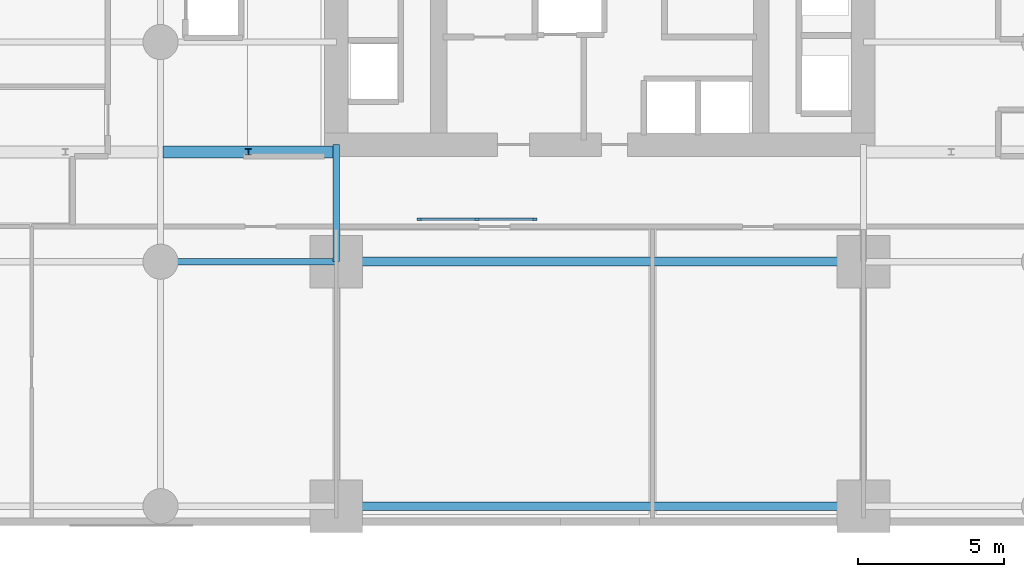
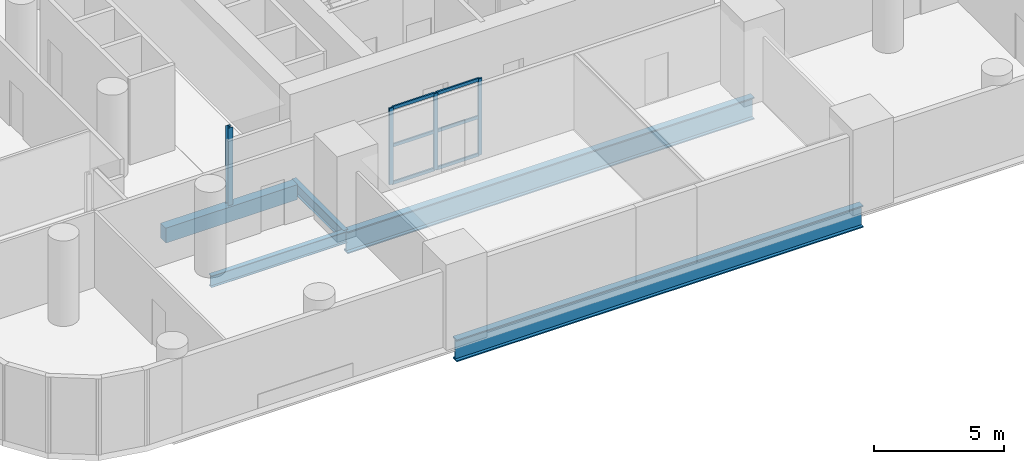
# One storey, part 3 of 15: 10 members, 5 beams, 1 element without a shape of its own.
"""IFC4 building model written with IfcOpenShell, lengths in metres."""

import ifcopenshell
import ifcopenshell.guid

model = None  # the IFC model being written
_history = None  # IfcOwnerHistory: only IFC2X3 demands one
_inside = {}  # id of a spatial element -> (the spatial element, [elements in it])
_under = {}  # id of a project, library or spatial element -> (it, [spatial elements below it])
_declared = {}  # id of a project -> (the project, [libraries it declares])
_typed = {}  # id of a type object -> (the type object, [elements of that type])
_made_of = {}  # id of a material, layer set ... -> (it, [elements and type objects made of it])


def new_model(schema):
    """Start an empty IFC model of exactly this schema.

    Asked for "IFC4X3", IfcOpenShell would pick the latest addendum, in which some entities
    have other attributes; the version numbers below select the first issue.
    IFC2X3 requires an IfcOwnerHistory on every rooted entity: one is made here for all.
    """
    global model, _history
    if schema == "IFC4X3":
        model = ifcopenshell.file(schema_version=(4, 3, 0, 0))
    else:
        model = ifcopenshell.file(schema=schema)
    _inside.clear()
    _under.clear()
    _declared.clear()
    _typed.clear()
    _made_of.clear()
    _history = None
    if model.schema == "IFC2X3":
        org = make("IfcOrganization", Name="unknown")
        user = make(
            "IfcPersonAndOrganization",
            ThePerson=make("IfcPerson", FamilyName="unknown"),
            TheOrganization=org,
        )
        app = make(
            "IfcApplication",
            ApplicationDeveloper=org,
            Version="unknown",
            ApplicationFullName="unknown",
            ApplicationIdentifier="unknown",
        )
        _history = make(
            "IfcOwnerHistory",
            OwningUser=user,
            OwningApplication=app,
            ChangeAction="ADDED",
            CreationDate=0,
        )
    return model


def make(cls, **values):
    """One entity of the class cls with the attributes given. An attribute that is None is left unset."""
    return model.create_entity(
        cls, **{name: value for name, value in values.items() if value is not None}
    )


def rooted(cls, **values):
    """An entity with a GlobalId (a new one), such as an element, a storey or a relation."""
    return make(cls, GlobalId=ifcopenshell.guid.new(), OwnerHistory=_history, **values)


def si_unit(unit_type, name, prefix=None):
    """IfcSIUnit, for example si_unit("LENGTHUNIT", "METRE", prefix="MILLI")."""
    return make("IfcSIUnit", UnitType=unit_type, Prefix=prefix, Name=name)


def assignment(units):
    """IfcUnitAssignment: the units of a project."""
    return None if units is None else make("IfcUnitAssignment", Units=units)


def point(xyz):
    """IfcCartesianPoint."""
    return None if xyz is None else make("IfcCartesianPoint", Coordinates=xyz)


def direction(xyz):
    """IfcDirection."""
    return None if xyz is None else make("IfcDirection", DirectionRatios=xyz)


def frame(location, z_axis=None, x_axis=None):
    """IfcAxis2Placement3D, a coordinate frame: its origin and axes. An axis left out is left unset."""
    return make(
        "IfcAxis2Placement3D",
        Location=point(location),
        Axis=direction(z_axis),
        RefDirection=direction(x_axis),
    )


def frame_2d(location, x_axis=None):
    """IfcAxis2Placement2D, a coordinate frame in the plane: its origin and x axis."""
    return make(
        "IfcAxis2Placement2D", Location=point(location), RefDirection=direction(x_axis)
    )


def origin():
    """The frame at (0, 0, 0) with its axes left unset."""
    return frame((0.0, 0.0, 0.0))


def origin_2d():
    """The frame at (0, 0) in the plane with its x axis left unset."""
    return frame_2d((0.0, 0.0))


def place(relative_to, where):
    """IfcLocalPlacement: puts the frame where relative to a parent placement (None: the world)."""
    return make(
        "IfcLocalPlacement", PlacementRelTo=relative_to, RelativePlacement=where
    )


def context(
    kind, dimensions, precision=None, world=None, true_north=None, identifier=None
):
    """IfcGeometricRepresentationContext, for example the 3D "Model" context."""
    return make(
        "IfcGeometricRepresentationContext",
        ContextIdentifier=identifier,
        ContextType=kind,
        CoordinateSpaceDimension=dimensions,
        Precision=precision,
        WorldCoordinateSystem=world,
        TrueNorth=true_north,
    )


def subcontext(parent, identifier, kind, view, scale=None):
    """IfcGeometricRepresentationSubContext, for example "Body" below "Model"."""
    return make(
        "IfcGeometricRepresentationSubContext",
        ContextIdentifier=identifier,
        ContextType=kind,
        ParentContext=parent,
        TargetScale=scale,
        TargetView=view,
    )


def project(units=None, contexts=None):
    """IfcProject with its units and contexts."""
    return rooted(
        "IfcProject",
        Name="project",
        RepresentationContexts=contexts,
        UnitsInContext=assignment(units),
    )


def spatial(cls, under=None, at=None, **own):
    """A site, building, storey or space (cls), placed at a placement, below another one or the project."""
    s = rooted(cls, ObjectPlacement=at, **own)
    if under is not None:
        _under.setdefault(under.id(), (under, []))[1].append(s)
    return s


def profile(cls, at=None, kind="AREA", **sizes):
    """A parametric profile (cls). Its sizes go by their IFC names, for example OverallWidth=200.0."""
    return make(cls, ProfileType=kind, Position=at, **sizes)


def rectangle(**sizes):
    """IfcRectangleProfileDef."""
    return profile("IfcRectangleProfileDef", **sizes)


def i_section(**sizes):
    """IfcIShapeProfileDef."""
    return profile("IfcIShapeProfileDef", **sizes)


def extrude(swept, where, along, depth):
    """IfcExtrudedAreaSolid: the profile swept, set in the frame where, extruded along a direction by depth."""
    return make(
        "IfcExtrudedAreaSolid",
        SweptArea=swept,
        Position=where,
        ExtrudedDirection=direction(along),
        Depth=depth,
    )


def shape(context_of_items, identifier, shape_type, items):
    """IfcShapeRepresentation: the items that make up one representation, for example the "Body"."""
    return make(
        "IfcShapeRepresentation",
        ContextOfItems=context_of_items,
        RepresentationIdentifier=identifier,
        RepresentationType=shape_type,
        Items=items,
    )


def material(Name=None, Category=None):
    """IfcMaterial."""
    return make("IfcMaterial", Name=Name, Category=Category)


def material_profile(
    of_material, cross_section, Name=None, Category=None, Priority=None
):
    """IfcMaterialProfile: a cross section and its material."""
    return make(
        "IfcMaterialProfile",
        Name=Name,
        Material=of_material,
        Profile=cross_section,
        Priority=Priority,
        Category=Category,
    )


def profile_set(profiles, Name=None, composite=None):
    """IfcMaterialProfileSet."""
    return make(
        "IfcMaterialProfileSet",
        Name=Name,
        MaterialProfiles=profiles,
        CompositeProfile=composite,
    )


def made_of(thing, what):
    """Note that an element or type object is made of a material, layer set ...; save() writes the relation."""
    if what is not None:
        _made_of.setdefault(what.id(), (what, []))[1].append(thing)
    return thing


def type_object(cls, material=None, **own):
    """A type object (cls), such as IfcWallType, which elements share."""
    return made_of(rooted(cls, **own), material)


def element(
    cls,
    number,
    at=None,
    inside=None,
    cuts=None,
    type_object=None,
    material=None,
    context=None,
    identifier="Body",
    shape_type=None,
    held_by="IfcProductDefinitionShape",
    body=None,
    shapes=None,
    **own,
):
    """One element of the class cls, such as IfcWall. Its Tag is "e" and its number.

    at: its placement. inside: the storey or other place that contains it. cuts: it is an
    opening in that element (IfcRelVoidsElement). A single representation is given by context,
    identifier, shape_type and body (its items); several are given by shapes. held_by: the class
    of the entity that holds the representations. save() writes the other relations.
    """
    e = rooted(cls, Tag="e%d" % number, ObjectPlacement=at, **own)
    if body is not None:
        shapes = [shape(context, identifier, shape_type, body)]
    if shapes is not None:
        e.Representation = make(held_by, Representations=shapes)
    if inside is not None:
        _inside.setdefault(inside.id(), (inside, []))[1].append(e)
    if cuts is not None:
        rooted(
            "IfcRelVoidsElement", RelatingBuildingElement=cuts, RelatedOpeningElement=e
        )
    if type_object is not None:
        _typed.setdefault(type_object.id(), (type_object, []))[1].append(e)
    return made_of(e, material)


def aggregate(whole, parts):
    """IfcRelAggregates: a whole, such as a stair, and the parts it consists of."""
    return rooted("IfcRelAggregates", RelatingObject=whole, RelatedObjects=parts)


def save(model, path):
    """Write the relations noted so far, then the file.

    IfcRelAggregates (storeys below a building ...), IfcRelContainedInSpatialStructure (elements
    in a storey), IfcRelDefinesByType, IfcRelAssociatesMaterial and IfcRelDeclares: one each for
    every whole, place, type object, material and project.
    """
    for whole, parts in _under.values():
        aggregate(whole, parts)
    for where, things in _inside.values():
        rooted(
            "IfcRelContainedInSpatialStructure",
            RelatedElements=things,
            RelatingStructure=where,
        )
    for kind, things in _typed.values():
        rooted("IfcRelDefinesByType", RelatedObjects=things, RelatingType=kind)
    for what, things in _made_of.values():
        rooted("IfcRelAssociatesMaterial", RelatedObjects=things, RelatingMaterial=what)
    for by, libraries in _declared.values():
        rooted("IfcRelDeclares", RelatingContext=by, RelatedDefinitions=libraries)
    model.write(path)


model = new_model("IFC4")

# Units and contexts
model_context = context("Model", 3, precision=1e-05, world=origin(), true_north=direction((0.0, 1.0)))
body_context = subcontext(model_context, "Body", "Model", "MODEL_VIEW")
ifc_project = project(units=[si_unit("LENGTHUNIT", "METRE"), si_unit("AREAUNIT", "SQUARE_METRE"), si_unit("VOLUMEUNIT", "CUBIC_METRE"), si_unit("PLANEANGLEUNIT", "RADIAN"), si_unit("MASSUNIT", "GRAM", prefix="KILO")], contexts=[model_context])

# Site, building, storey
site_placement = place(None, origin())
site = spatial("IfcSite", under=ifc_project, at=site_placement, CompositionType="ELEMENT")
building_placement = place(site_placement, origin())
building = spatial("IfcBuilding", under=site, at=building_placement, Name="Veldorim Arch Residences", CompositionType="ELEMENT")
storey_placement = place(building_placement, frame((0.0, 0.0, 16.0)))
storey = spatial("IfcBuildingStorey", under=building, at=storey_placement, Name="L04", CompositionType="ELEMENT", Elevation=16.0)

# Curtain wall, members
ifc_material_1 = material(Name="Aluminium", Category="aluminium")
curtain_wall_type = type_object("IfcCurtainWallType", Name="Crown Faceted Fritted Laminated Curtain Wall", PredefinedType="NOTDEFINED", material=ifc_material_1)
curtain_wall_placement = place(storey_placement, origin())
curtain_wall = element("IfcCurtainWall", 1, at=curtain_wall_placement, inside=storey, type_object=curtain_wall_type, Name="L04 S arch bridge clerestory curtain wall", PredefinedType="NOTDEFINED")
ifc_material_2 = material(Name="Aluminium", Category="aluminium")
ifc_material_profile_1 = material_profile(ifc_material_2, rectangle(XDim=0.070068359375, YDim=0.169921875, at=origin_2d()), Name="ALU_MUL_70x170")
ifc_profile_set_1 = profile_set([ifc_material_profile_1], Name="Aluminium")
member_type_1 = type_object("IfcMemberType", Name="Crown Faceted Fritted Laminated Curtain Wall Mullion 70x170", PredefinedType="MULLION", material=ifc_profile_set_1)
member_1_placement = place(storey_placement, frame((25.8349609375, 14.449951171875, 0.0), z_axis=(0.0, 0.0, 1.0), x_axis=(0.0, 1.0, 0.0)))
member_1 = element("IfcMember", 2, at=member_1_placement, type_object=member_type_1, Name="CW-CRN mullion 1", PredefinedType="MULLION", context=body_context, shape_type="SweptSolid", body=[
    extrude(rectangle(XDim=0.070068359375, YDim=0.169921875, at=origin_2d()), origin(), (0.0, 0.0, 1.0), 3.580078125),
])
member_2_placement = place(storey_placement, frame((27.800048828125, 14.449951171875, 0.0), z_axis=(0.0, 0.0, 1.0), x_axis=(0.0, 1.0, 0.0)))
member_2 = element("IfcMember", 3, at=member_2_placement, type_object=member_type_1, Name="CW-CRN mullion 2", PredefinedType="MULLION", context=body_context, shape_type="SweptSolid", body=[
    extrude(rectangle(XDim=0.070068359375, YDim=0.169921875, at=origin_2d()), origin(), (0.0, 0.0, 1.0), 3.580078125),
])
member_3_placement = place(storey_placement, frame((29.764892578125, 14.449951171875, 0.0), z_axis=(0.0, 0.0, 1.0), x_axis=(0.0, 1.0, 0.0)))
member_3 = element("IfcMember", 4, at=member_3_placement, type_object=member_type_1, Name="CW-CRN mullion 3", PredefinedType="MULLION", context=body_context, shape_type="SweptSolid", body=[
    extrude(rectangle(XDim=0.070068359375, YDim=0.169921875, at=origin_2d()), origin(), (0.0, 0.0, 1.0), 3.580078125),
])
ifc_material_3 = material(Name="Aluminium", Category="aluminium")
ifc_material_profile_2 = material_profile(ifc_material_3, rectangle(XDim=0.070068359375, YDim=0.14990234375, at=origin_2d()), Name="ALU_TRN_70x150")
ifc_profile_set_2 = profile_set([ifc_material_profile_2], Name="Aluminium")
member_type_2 = type_object("IfcMemberType", Name="Crown Faceted Fritted Laminated Curtain Wall Transom 70x150", PredefinedType="USERDEFINED", material=ifc_profile_set_2)
member_4_placement = place(storey_placement, frame((25.8701171875, 14.449951171875, 0.034912109375), z_axis=(1.0, 0.0, 0.0), x_axis=(0.0, 1.0, 0.0)))
member_4 = element("IfcMember", 5, at=member_4_placement, type_object=member_type_2, Name="CW-CRN transom 1.1", ObjectType="TRANSOM", PredefinedType="USERDEFINED", context=body_context, shape_type="SweptSolid", body=[
    extrude(rectangle(XDim=0.070068359375, YDim=0.14990234375, at=origin_2d()), origin(), (0.0, 0.0, 1.0), 1.894775390625),
])
member_5_placement = place(storey_placement, frame((25.8701171875, 14.449951171875, 1.7900390625), z_axis=(1.0, 0.0, 0.0), x_axis=(0.0, 1.0, 0.0)))
member_5 = element("IfcMember", 6, at=member_5_placement, type_object=member_type_2, Name="CW-CRN transom 1.2", ObjectType="TRANSOM", PredefinedType="USERDEFINED", context=body_context, shape_type="SweptSolid", body=[
    extrude(rectangle(XDim=0.070068359375, YDim=0.14990234375, at=origin_2d()), origin(), (0.0, 0.0, 1.0), 1.894775390625),
])
member_6_placement = place(storey_placement, frame((25.8701171875, 14.449951171875, 3.544921875), z_axis=(1.0, 0.0, 0.0), x_axis=(0.0, 1.0, 0.0)))
member_6 = element("IfcMember", 7, at=member_6_placement, type_object=member_type_2, Name="CW-CRN transom 1.3", ObjectType="TRANSOM", PredefinedType="USERDEFINED", context=body_context, shape_type="SweptSolid", body=[
    extrude(rectangle(XDim=0.070068359375, YDim=0.14990234375, at=origin_2d()), origin(), (0.0, 0.0, 1.0), 1.894775390625),
])
member_7_placement = place(storey_placement, frame((27.8349609375, 14.449951171875, 0.034912109375), z_axis=(1.0, 0.0, 0.0), x_axis=(0.0, 1.0, 0.0)))
member_7 = element("IfcMember", 8, at=member_7_placement, type_object=member_type_2, Name="CW-CRN transom 2.1", ObjectType="TRANSOM", PredefinedType="USERDEFINED", context=body_context, shape_type="SweptSolid", body=[
    extrude(rectangle(XDim=0.070068359375, YDim=0.14990234375, at=origin_2d()), origin(), (0.0, 0.0, 1.0), 1.89501953125),
])
member_8_placement = place(storey_placement, frame((27.8349609375, 14.449951171875, 1.7900390625), z_axis=(1.0, 0.0, 0.0), x_axis=(0.0, 1.0, 0.0)))
member_8 = element("IfcMember", 9, at=member_8_placement, type_object=member_type_2, Name="CW-CRN transom 2.2", ObjectType="TRANSOM", PredefinedType="USERDEFINED", context=body_context, shape_type="SweptSolid", body=[
    extrude(rectangle(XDim=0.070068359375, YDim=0.14990234375, at=origin_2d()), origin(), (0.0, 0.0, 1.0), 1.89501953125),
])
member_9_placement = place(storey_placement, frame((27.8349609375, 14.449951171875, 3.544921875), z_axis=(1.0, 0.0, 0.0), x_axis=(0.0, 1.0, 0.0)))
member_9 = element("IfcMember", 10, at=member_9_placement, type_object=member_type_2, Name="CW-CRN transom 2.3", ObjectType="TRANSOM", PredefinedType="USERDEFINED", context=body_context, shape_type="SweptSolid", body=[
    extrude(rectangle(XDim=0.070068359375, YDim=0.14990234375, at=origin_2d()), origin(), (0.0, 0.0, 1.0), 1.89501953125),
])
aggregate(curtain_wall, [member_1, member_2, member_3, member_4, member_5, member_6, member_7, member_8, member_9])

# Beams
ifc_material_4 = material(Name="Concrete C50/60", Category="concrete")
ifc_material_profile_3 = material_profile(ifc_material_4, rectangle(XDim=0.39990234375, YDim=0.699951171875, at=origin_2d()), Name="RC_RECT_400x700")
ifc_profile_set_3 = profile_set([ifc_material_profile_3], Name="Concrete C50/60")
beam_type_1 = type_object("IfcBeamType", Name="Reinforced Concrete Lintel RC_RECT_400x700", PredefinedType="LINTEL", material=ifc_profile_set_3)
beam_1_placement = place(storey_placement, frame((17.080078125, 16.75, -0.6298828125), z_axis=(1.0, 0.0, 0.0), x_axis=(0.0, 1.0, 0.0)))
element("IfcBeam", 11, at=beam_1_placement, inside=storey, type_object=beam_type_1, Name="L04 clinic opening structural lintel 03", PredefinedType="LINTEL", context=body_context, shape_type="SweptSolid", body=[
    extrude(rectangle(XDim=0.39990234375, YDim=0.699951171875, at=origin_2d()), origin(), (0.0, 0.0, 1.0), 5.83984375),
])
ifc_material_5 = material(Name="Steel S355", Category="steel")
ifc_material_profile_4 = material_profile(ifc_material_5, i_section(OverallWidth=0.2099609375, OverallDepth=0.53662109375, WebThickness=0.0107421875, FlangeThickness=0.017333984375, at=origin_2d()), Name="UB533x210x101")
ifc_profile_set_4 = profile_set([ifc_material_profile_4], Name="Steel S355")
beam_type_2 = type_object("IfcBeamType", Name="Structural Steel Beam UB533x210x101", PredefinedType="BEAM", material=ifc_profile_set_4)
beam_2_placement = place(storey_placement, frame((23.0, 13.0, -0.54833984375), z_axis=(0.0, 1.0, 0.0), x_axis=(-1.0, 0.0, 0.0)))
element("IfcBeam", 12, at=beam_2_placement, inside=storey, type_object=beam_type_2, Name="L04 north-south floor beam (X=23.0, 13.0-17.0)", PredefinedType="BEAM", context=body_context, shape_type="SweptSolid", body=[
    extrude(i_section(OverallWidth=0.2099609375, OverallDepth=0.53662109375, WebThickness=0.0107421875, FlangeThickness=0.017333984375, at=origin_2d()), origin(), (0.0, 0.0, 1.0), 4.0),
])
ifc_material_6 = material(Name="Steel S355", Category="steel")
ifc_material_profile_5 = material_profile(ifc_material_6, i_section(OverallWidth=0.2119140625, OverallDepth=0.54443359375, WebThickness=0.0126953125, FlangeThickness=0.021240234375, at=origin_2d()), Name="UB533x210x122")
ifc_profile_set_5 = profile_set([ifc_material_profile_5], Name="Steel S355")
beam_type_3 = type_object("IfcBeamType", Name="Structural Steel Beam UB533x210x122", PredefinedType="BEAM", material=ifc_profile_set_5)
beam_3_placement = place(storey_placement, frame((17.0, 13.0, -0.55224609375), z_axis=(1.0, 0.0, 0.0), x_axis=(0.0, 1.0, 0.0)))
element("IfcBeam", 13, at=beam_3_placement, inside=storey, type_object=beam_type_3, Name="L04 east-west floor beam (17.0-23.0, Y=13.0)", PredefinedType="BEAM", context=body_context, shape_type="SweptSolid", body=[
    extrude(i_section(OverallWidth=0.2119140625, OverallDepth=0.54443359375, WebThickness=0.0126953125, FlangeThickness=0.021240234375, at=origin_2d()), origin(), (0.0, 0.0, 1.0), 6.0),
])
ifc_material_7 = material(Name="Steel S460", Category="steel")
ifc_material_profile_6 = material_profile(ifc_material_7, i_section(OverallWidth=0.305419921875, OverallDepth=1.02587890625, WebThickness=0.02685546875, FlangeThickness=0.053955078125, at=origin_2d()), Name="UB1016x305x437")
ifc_profile_set_6 = profile_set([ifc_material_profile_6], Name="Steel S460")
beam_type_4 = type_object("IfcBeamType", Name="Structural Steel GIRDER UB1016x305x437", PredefinedType="USERDEFINED", material=ifc_profile_set_6)
for number, where, z_axis, x_axis, name in (
    (14, (23.0, 4.64990234375, -0.79296875), (1.0, 0.0, 0.0), (0.0, 1.0, 0.0), "L04 east-west floor beam (23.0-41.0, Y=4.7)"),
    (15, (23.0, 13.0, -0.79296875), (1.0, 0.0, 0.0), (0.0, 1.0, 0.0), "L04 east-west floor beam (23.0-41.0, Y=13.0)"),
):
    element("IfcBeam", number, at=place(storey_placement, frame(where, z_axis=z_axis, x_axis=x_axis)), inside=storey, type_object=beam_type_4, Name=name, ObjectType="GIRDER", PredefinedType="USERDEFINED", context=body_context, shape_type="SweptSolid", body=[
        extrude(i_section(OverallWidth=0.305419921875, OverallDepth=1.02587890625, WebThickness=0.02685546875, FlangeThickness=0.053955078125, at=origin_2d()), origin(), (0.0, 0.0, 1.0), 18.0),
    ])

# Member
ifc_material_8 = material(Name="Steel S355", Category="steel")
ifc_material_profile_7 = material_profile(ifc_material_8, i_section(OverallWidth=0.205810546875, OverallDepth=0.209716796875, WebThickness=0.009521484375, FlangeThickness=0.01416015625, at=origin_2d()), Name="UC203x203x60")
ifc_profile_set_7 = profile_set([ifc_material_profile_7], Name="Steel S355")
member_type_3 = type_object("IfcMemberType", Name="Truss Post UC203x203x60", PredefinedType="POST", material=ifc_profile_set_7)
member_10_placement = place(storey_placement, frame((20.0, 16.75, -0.35009765625), z_axis=(0.0, 0.0, 1.0), x_axis=(1.0, 0.0, 0.0)))
element("IfcMember", 16, at=member_10_placement, inside=storey, type_object=member_type_3, Name="L04 mechanical riser trimmer post 03", PredefinedType="POST", context=body_context, shape_type="SweptSolid", body=[
    extrude(i_section(OverallWidth=0.205810546875, OverallDepth=0.209716796875, WebThickness=0.009521484375, FlangeThickness=0.01416015625, at=origin_2d()), origin(), (0.0, 0.0, 1.0), 3.7001953125),
])

save(model, "model.ifc")
